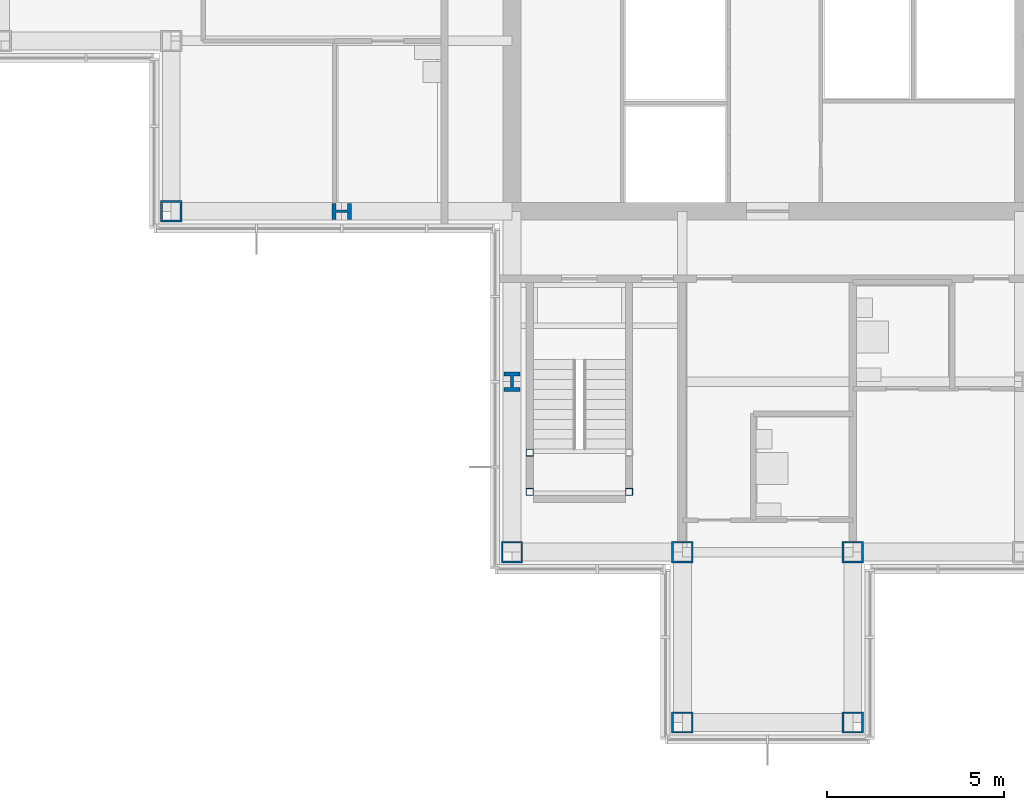
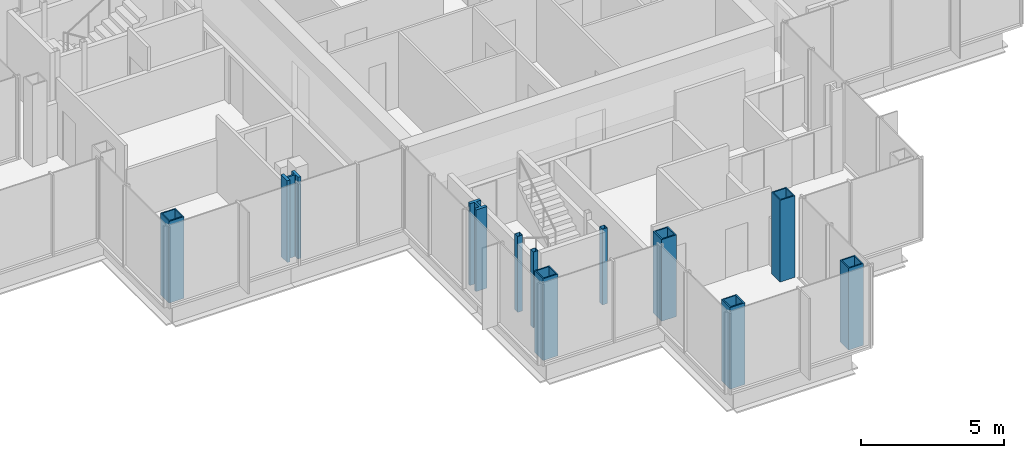
# One storey, part 1 of 15: 11 columns.
"""IFC4 building model written with IfcOpenShell, lengths in metres."""

from ifc_helpers import new_model, si_unit, direction, frame, origin, origin_2d, place, context, subcontext, project, spatial, hollow_rectangle, i_section, extrude, material, material_profile, profile_set, type_object, element, save


model = new_model("IFC4")

# Units and contexts
model_context = context("Model", 3, precision=1e-05, world=origin(), true_north=direction((0.0, 1.0)))
body_context = subcontext(model_context, "Body", "Model", "MODEL_VIEW")
ifc_project = project(units=[si_unit("LENGTHUNIT", "METRE"), si_unit("AREAUNIT", "SQUARE_METRE"), si_unit("VOLUMEUNIT", "CUBIC_METRE"), si_unit("PLANEANGLEUNIT", "RADIAN"), si_unit("MASSUNIT", "GRAM", prefix="KILO")], contexts=[model_context])

# Site, building, storey
site_placement = place(None, origin())
site = spatial("IfcSite", under=ifc_project, at=site_placement, CompositionType="ELEMENT")
building_placement = place(site_placement, origin())
building = spatial("IfcBuilding", under=site, at=building_placement, Name="Kvirike Care Tower", CompositionType="ELEMENT")
storey_placement = place(building_placement, frame((0.0, 0.0, 240.0)))
storey = spatial("IfcBuildingStorey", under=building, at=storey_placement, Name="L66", CompositionType="ELEMENT", Elevation=240.0)

# Columns
ifc_material_1 = material(Name="Steel S460", Category="steel")
ifc_material_profile_1 = material_profile(ifc_material_1, hollow_rectangle(XDim=0.60009765625, YDim=0.60009765625, WallThickness=0.050048828125, at=origin_2d()), Name="BX 600x600x50")
ifc_profile_set_1 = profile_set([ifc_material_profile_1], Name="Steel S460")
column_type_1 = type_object("IfcColumnType", Name="COLUMN BX 600x600x50", PredefinedType="COLUMN", material=ifc_profile_set_1)
for number, where, z_axis, x_axis, name in (
    (1, (4.800048828125, 28.800048828125, 0.0), (0.0, 0.0, 1.0), (0.0, 1.0, 0.0), "Column G4 L66"),
    (2, (14.39990234375, 19.199951171875, 0.0), (0.0, 0.0, 1.0), (0.0, 1.0, 0.0), "Column E6 L66"),
    (3, (19.199951171875, 14.39990234375, 0.0), (0.0, 0.0, 1.0), (0.0, 1.0, 0.0), "Column D7 L66"),
    (4, (19.199951171875, 19.199951171875, 0.0), (0.0, 0.0, 1.0), (0.0, 1.0, 0.0), "Column E7 L66"),
    (5, (24.0, 14.39990234375, 0.0), (0.0, 0.0, 1.0), (0.0, 1.0, 0.0), "Column D8 L66"),
    (6, (24.0, 19.199951171875, 0.0), (0.0, 0.0, 1.0), (0.0, 1.0, 0.0), "Column E8 L66"),
):
    element("IfcColumn", number, at=place(storey_placement, frame(where, z_axis=z_axis, x_axis=x_axis)), inside=storey, type_object=column_type_1, Name=name, PredefinedType="COLUMN", context=body_context, shape_type="SweptSolid", body=[
        extrude(hollow_rectangle(XDim=0.60009765625, YDim=0.60009765625, WallThickness=0.050048828125, at=origin_2d()), origin(), (0.0, 0.0, 1.0), 3.5),
    ])
ifc_material_2 = material(Name="Steel S460", Category="steel")
ifc_material_profile_2 = material_profile(ifc_material_2, i_section(OverallWidth=0.447998046875, OverallDepth=0.550048828125, WebThickness=0.072021484375, FlangeThickness=0.114990234375, FilletRadius=0.014892578125, at=origin_2d()), Name="HD 400x990")
ifc_profile_set_2 = profile_set([ifc_material_profile_2], Name="Steel S460")
column_type_2 = type_object("IfcColumnType", Name="COLUMN HD 400x990", PredefinedType="COLUMN", material=ifc_profile_set_2)
for number, where, z_axis, x_axis, name in (
    (7, (9.60009765625, 28.800048828125, 0.0), (0.0, 0.0, 1.0), (0.0, 1.0, 0.0), "Column G5 L66"),
    (8, (14.39990234375, 24.0, 0.0), (0.0, 0.0, 1.0), (1.0, 0.0, 0.0), "Column F6 L66"),
):
    element("IfcColumn", number, at=place(storey_placement, frame(where, z_axis=z_axis, x_axis=x_axis)), inside=storey, type_object=column_type_2, Name=name, PredefinedType="COLUMN", context=body_context, shape_type="SweptSolid", body=[
        extrude(i_section(OverallWidth=0.447998046875, OverallDepth=0.550048828125, WebThickness=0.072021484375, FlangeThickness=0.114990234375, FilletRadius=0.014892578125, at=origin_2d()), origin(), (0.0, 0.0, 1.0), 3.5),
    ])
ifc_material_3 = material(Name="Steel S460", Category="steel")
ifc_material_profile_3 = material_profile(ifc_material_3, hollow_rectangle(XDim=0.199951171875, YDim=0.199951171875, WallThickness=0.008056640625, at=origin_2d()), Name="SHS 200x200x8")
ifc_profile_set_3 = profile_set([ifc_material_profile_3], Name="Steel S460")
column_type_3 = type_object("IfcColumnType", Name="STAIR POST SHS 200x200x8", PredefinedType="COLUMN", material=ifc_profile_set_3)
for number, where, z_axis, x_axis, name in (
    (9, (14.89990234375, 20.89990234375, 0.0), (0.0, 0.0, 1.0), (1.0, 0.0, 0.0), "Stair 5 post 1 L66"),
    (10, (17.699951171875, 20.89990234375, 0.0), (0.0, 0.0, 1.0), (1.0, 0.0, 0.0), "Stair 5 post 2 L66"),
    (11, (14.89990234375, 22.0, 0.0), (0.0, 0.0, 1.0), (1.0, 0.0, 0.0), "Stair 5 post 3 L66"),
):
    element("IfcColumn", number, at=place(storey_placement, frame(where, z_axis=z_axis, x_axis=x_axis)), inside=storey, type_object=column_type_3, Name=name, PredefinedType="COLUMN", context=body_context, shape_type="SweptSolid", body=[
        extrude(hollow_rectangle(XDim=0.199951171875, YDim=0.199951171875, WallThickness=0.008056640625, at=origin_2d()), origin(), (0.0, 0.0, 1.0), 3.25),
    ])

save(model, "model.ifc")
